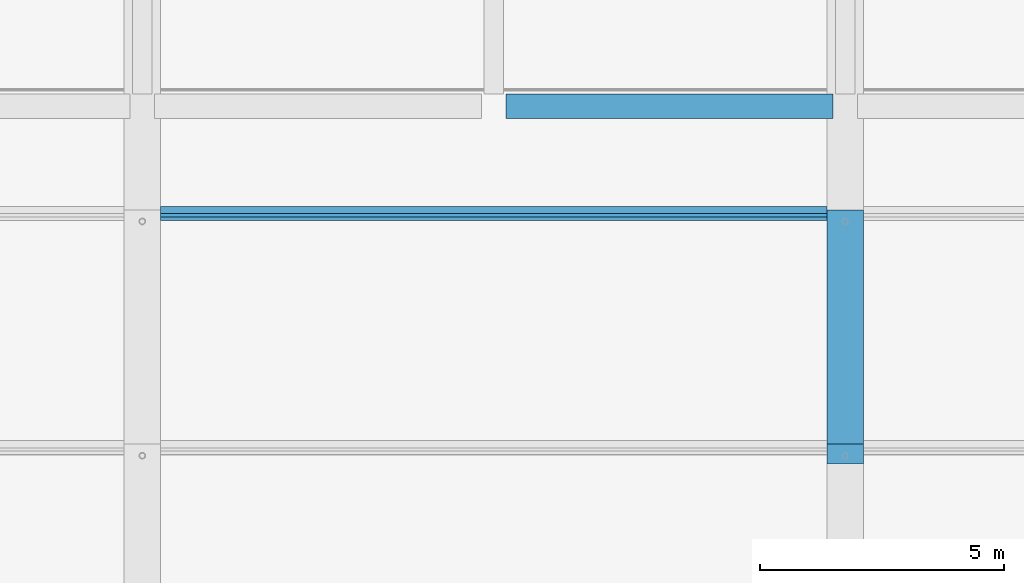
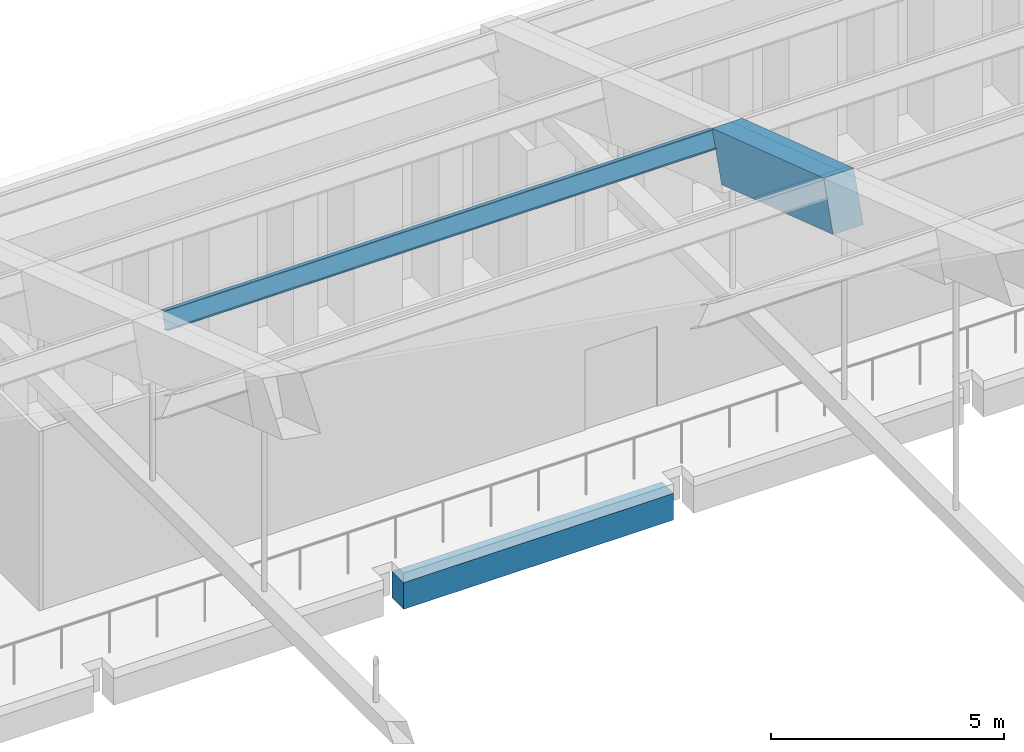
# One storey, part 45 of 149: 2 beams, 1 member.
"""IFC4 building model written with IfcOpenShell, lengths in metres."""

from ifc_helpers import new_model, si_unit, direction, frame, origin, origin_2d, place, context, subcontext, project, spatial, rectangle, i_section, extrude, material, material_profile, profile_set, type_object, element, save


model = new_model("IFC4")

# Units and contexts
model_context = context("Model", 3, precision=1e-05, world=origin(), true_north=direction((0.0, 1.0)))
body_context = subcontext(model_context, "Body", "Model", "MODEL_VIEW")
ifc_project = project(units=[si_unit("LENGTHUNIT", "METRE"), si_unit("AREAUNIT", "SQUARE_METRE"), si_unit("VOLUMEUNIT", "CUBIC_METRE"), si_unit("PLANEANGLEUNIT", "RADIAN"), si_unit("MASSUNIT", "GRAM", prefix="KILO")], contexts=[model_context])

# Site, building, storey
site_placement = place(None, origin())
site = spatial("IfcSite", under=ifc_project, at=site_placement, CompositionType="ELEMENT")
building_placement = place(site_placement, origin())
building = spatial("IfcBuilding", under=site, at=building_placement, Name="Alderwick Market Hall", CompositionType="ELEMENT")
storey_placement = place(building_placement, frame((0.0, 0.0, 9.60009765625)))
storey = spatial("IfcBuildingStorey", under=building, at=storey_placement, Name="L01", CompositionType="ELEMENT", Elevation=9.60009765625)

# Beams
ifc_material_1 = material(Name="Concrete 5000 psi (f'c 35 MPa)", Category="concrete")
ifc_material_profile_1 = material_profile(ifc_material_1, rectangle(XDim=0.5, YDim=0.699951171875, at=origin_2d()), Name="RC 500x700")
ifc_profile_set_1 = profile_set([ifc_material_profile_1], Name="Concrete 5000 psi (f'c 35 MPa)")
beam_type_1 = type_object("IfcBeamType", Name="H Edge beam 500x700", PredefinedType="BEAM", material=ifc_profile_set_1)
beam_1_placement = place(storey_placement, frame((72.25, 100.760009765625, -0.60009765625), z_axis=(1.0, 0.0, 0.0), x_axis=(0.0, 1.0, 0.0)))
element("IfcBeam", 1, at=beam_1_placement, inside=storey, type_object=beam_type_1, Name="Gallery edge beam N", PredefinedType="BEAM", context=body_context, shape_type="SweptSolid", body=[
    extrude(rectangle(XDim=0.5, YDim=0.699951171875, at=origin_2d()), origin(), (0.0, 0.0, 1.0), 6.699951171875),
])
ifc_material_profile_2 = material_profile(ifc_material_1, rectangle(XDim=0.75, YDim=1.300048828125, at=origin_2d()), Name="RC 750x1300")
ifc_profile_set_2 = profile_set([ifc_material_profile_2], Name="Concrete 5000 psi (f'c 35 MPa)")
beam_type_2 = type_object("IfcBeamType", Name="R Arch Rib Haunch 750x1300", PredefinedType="BEAM", material=ifc_profile_set_2)
beam_2_placement = place(storey_placement, frame((79.199951171875, 93.631591796875, 11.494873046875), z_axis=(0.0, 0.948678472761, -0.316242241517), x_axis=(-1.0, 0.0, 0.0)))
element("IfcBeam", 2, at=beam_2_placement, inside=storey, type_object=beam_type_2, Name="Arch rib 3 chord 10", PredefinedType="BEAM", context=body_context, shape_type="SweptSolid", body=[
    extrude(rectangle(XDim=0.75, YDim=1.300048828125, at=origin_2d()), origin(), (0.0, 0.0, 1.0), 5.059814453125),
])

# Member
ifc_material_2 = material(Name="Steel ASTM A992 Grade 50", Category="steel")
ifc_material_profile_3 = material_profile(ifc_material_2, i_section(OverallWidth=0.153076171875, OverallDepth=0.455078125, WebThickness=0.008056640625, FlangeThickness=0.01318359375, at=origin_2d()), Name="W18x40")
ifc_profile_set_3 = profile_set([ifc_material_profile_3], Name="Steel ASTM A992 Grade 50")
member_type = type_object("IfcMemberType", Name="R Purlin W18x40", PredefinedType="PURLIN", material=ifc_profile_set_3)
member_placement = place(storey_placement, frame((65.175048828125, 98.563232421875, 10.289794921875), z_axis=(1.0, 0.0, 0.0), x_axis=(0.0, 0.948683297073, -0.316227768949)))
element("IfcMember", 3, at=member_placement, inside=storey, type_object=member_type, Name="Roof purlin 11.2", PredefinedType="PURLIN", context=body_context, shape_type="SweptSolid", body=[
    extrude(i_section(OverallWidth=0.153076171875, OverallDepth=0.455078125, WebThickness=0.008056640625, FlangeThickness=0.01318359375, at=origin_2d()), origin(), (0.0, 0.0, 1.0), 13.64990234375),
])

save(model, "model.ifc")
